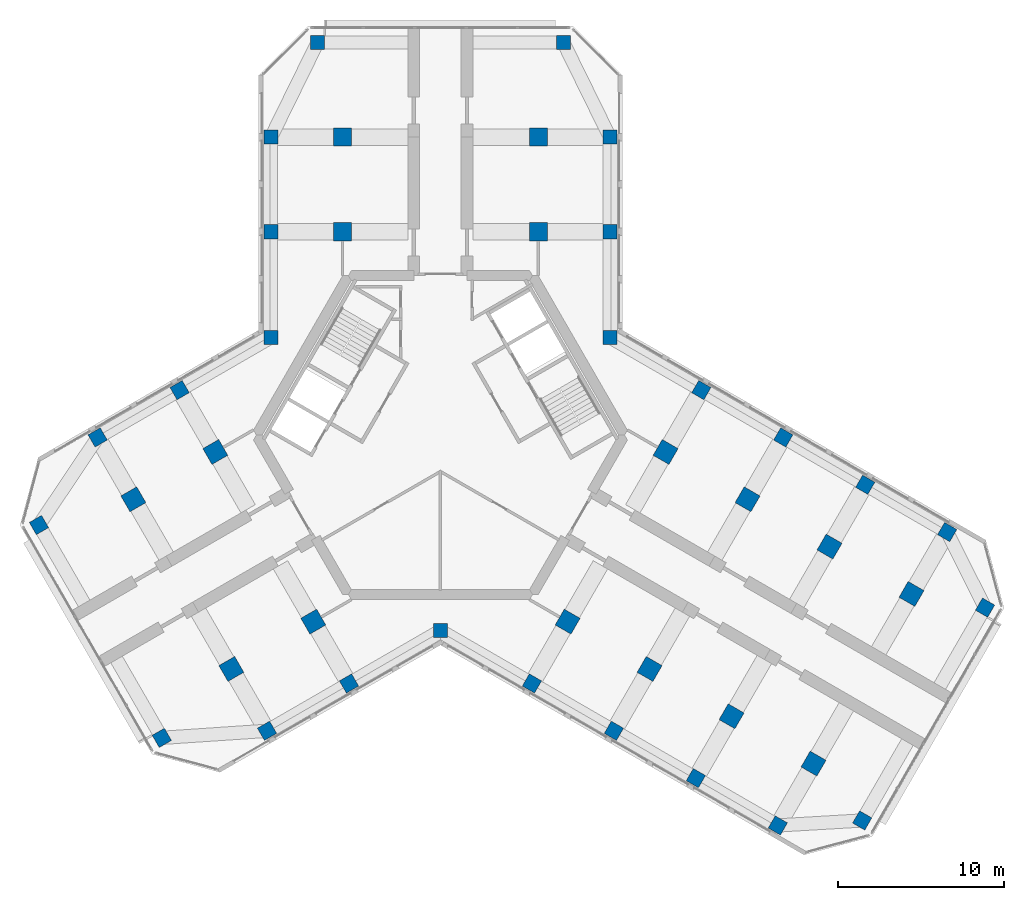
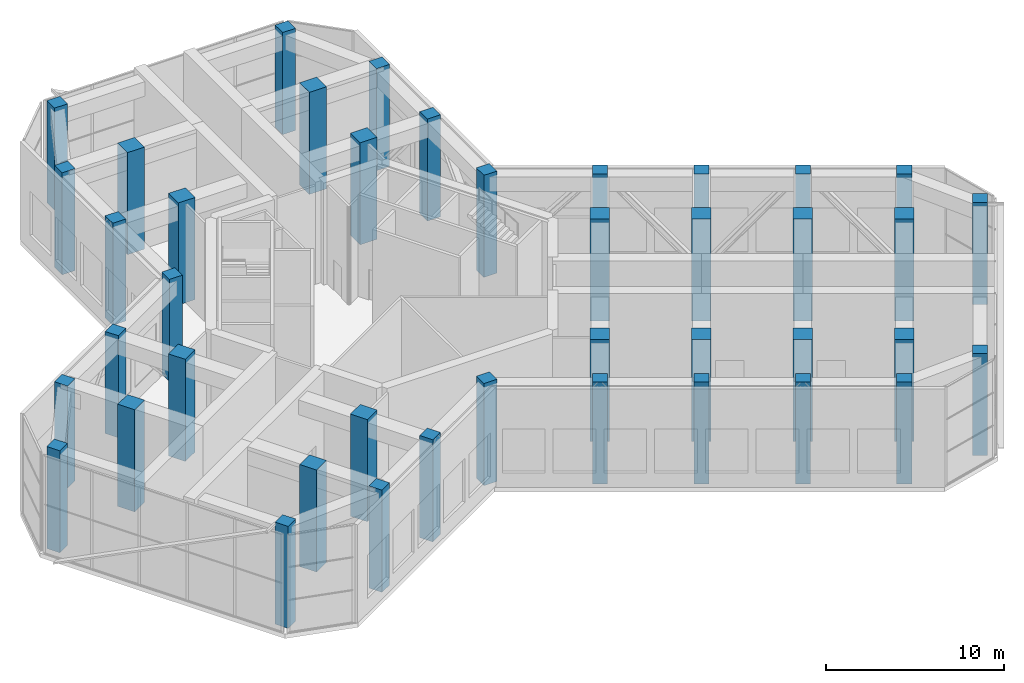
# One storey, part 1 of 12: 41 columns.
"""IFC4 building model written with IfcOpenShell, lengths in metres."""

import ifcopenshell
import ifcopenshell.guid

model = None  # the IFC model being written
_history = None  # IfcOwnerHistory: only IFC2X3 demands one
_inside = {}  # id of a spatial element -> (the spatial element, [elements in it])
_under = {}  # id of a project, library or spatial element -> (it, [spatial elements below it])
_declared = {}  # id of a project -> (the project, [libraries it declares])
_typed = {}  # id of a type object -> (the type object, [elements of that type])
_made_of = {}  # id of a material, layer set ... -> (it, [elements and type objects made of it])


def new_model(schema):
    """Start an empty IFC model of exactly this schema.

    Asked for "IFC4X3", IfcOpenShell would pick the latest addendum, in which some entities
    have other attributes; the version numbers below select the first issue.
    IFC2X3 requires an IfcOwnerHistory on every rooted entity: one is made here for all.
    """
    global model, _history
    if schema == "IFC4X3":
        model = ifcopenshell.file(schema_version=(4, 3, 0, 0))
    else:
        model = ifcopenshell.file(schema=schema)
    _inside.clear()
    _under.clear()
    _declared.clear()
    _typed.clear()
    _made_of.clear()
    _history = None
    if model.schema == "IFC2X3":
        org = make("IfcOrganization", Name="unknown")
        user = make(
            "IfcPersonAndOrganization",
            ThePerson=make("IfcPerson", FamilyName="unknown"),
            TheOrganization=org,
        )
        app = make(
            "IfcApplication",
            ApplicationDeveloper=org,
            Version="unknown",
            ApplicationFullName="unknown",
            ApplicationIdentifier="unknown",
        )
        _history = make(
            "IfcOwnerHistory",
            OwningUser=user,
            OwningApplication=app,
            ChangeAction="ADDED",
            CreationDate=0,
        )
    return model


def make(cls, **values):
    """One entity of the class cls with the attributes given. An attribute that is None is left unset."""
    return model.create_entity(
        cls, **{name: value for name, value in values.items() if value is not None}
    )


def rooted(cls, **values):
    """An entity with a GlobalId (a new one), such as an element, a storey or a relation."""
    return make(cls, GlobalId=ifcopenshell.guid.new(), OwnerHistory=_history, **values)


def si_unit(unit_type, name, prefix=None):
    """IfcSIUnit, for example si_unit("LENGTHUNIT", "METRE", prefix="MILLI")."""
    return make("IfcSIUnit", UnitType=unit_type, Prefix=prefix, Name=name)


def assignment(units):
    """IfcUnitAssignment: the units of a project."""
    return None if units is None else make("IfcUnitAssignment", Units=units)


def point(xyz):
    """IfcCartesianPoint."""
    return None if xyz is None else make("IfcCartesianPoint", Coordinates=xyz)


def direction(xyz):
    """IfcDirection."""
    return None if xyz is None else make("IfcDirection", DirectionRatios=xyz)


def frame(location, z_axis=None, x_axis=None):
    """IfcAxis2Placement3D, a coordinate frame: its origin and axes. An axis left out is left unset."""
    return make(
        "IfcAxis2Placement3D",
        Location=point(location),
        Axis=direction(z_axis),
        RefDirection=direction(x_axis),
    )


def frame_2d(location, x_axis=None):
    """IfcAxis2Placement2D, a coordinate frame in the plane: its origin and x axis."""
    return make(
        "IfcAxis2Placement2D", Location=point(location), RefDirection=direction(x_axis)
    )


def origin():
    """The frame at (0, 0, 0) with its axes left unset."""
    return frame((0.0, 0.0, 0.0))


def origin_2d():
    """The frame at (0, 0) in the plane with its x axis left unset."""
    return frame_2d((0.0, 0.0))


def place(relative_to, where):
    """IfcLocalPlacement: puts the frame where relative to a parent placement (None: the world)."""
    return make(
        "IfcLocalPlacement", PlacementRelTo=relative_to, RelativePlacement=where
    )


def context(
    kind, dimensions, precision=None, world=None, true_north=None, identifier=None
):
    """IfcGeometricRepresentationContext, for example the 3D "Model" context."""
    return make(
        "IfcGeometricRepresentationContext",
        ContextIdentifier=identifier,
        ContextType=kind,
        CoordinateSpaceDimension=dimensions,
        Precision=precision,
        WorldCoordinateSystem=world,
        TrueNorth=true_north,
    )


def subcontext(parent, identifier, kind, view, scale=None):
    """IfcGeometricRepresentationSubContext, for example "Body" below "Model"."""
    return make(
        "IfcGeometricRepresentationSubContext",
        ContextIdentifier=identifier,
        ContextType=kind,
        ParentContext=parent,
        TargetScale=scale,
        TargetView=view,
    )


def project(units=None, contexts=None):
    """IfcProject with its units and contexts."""
    return rooted(
        "IfcProject",
        Name="project",
        RepresentationContexts=contexts,
        UnitsInContext=assignment(units),
    )


def spatial(cls, under=None, at=None, **own):
    """A site, building, storey or space (cls), placed at a placement, below another one or the project."""
    s = rooted(cls, ObjectPlacement=at, **own)
    if under is not None:
        _under.setdefault(under.id(), (under, []))[1].append(s)
    return s


def profile(cls, at=None, kind="AREA", **sizes):
    """A parametric profile (cls). Its sizes go by their IFC names, for example OverallWidth=200.0."""
    return make(cls, ProfileType=kind, Position=at, **sizes)


def rectangle(**sizes):
    """IfcRectangleProfileDef."""
    return profile("IfcRectangleProfileDef", **sizes)


def extrude(swept, where, along, depth):
    """IfcExtrudedAreaSolid: the profile swept, set in the frame where, extruded along a direction by depth."""
    return make(
        "IfcExtrudedAreaSolid",
        SweptArea=swept,
        Position=where,
        ExtrudedDirection=direction(along),
        Depth=depth,
    )


def shape(context_of_items, identifier, shape_type, items):
    """IfcShapeRepresentation: the items that make up one representation, for example the "Body"."""
    return make(
        "IfcShapeRepresentation",
        ContextOfItems=context_of_items,
        RepresentationIdentifier=identifier,
        RepresentationType=shape_type,
        Items=items,
    )


def material(Name=None, Category=None):
    """IfcMaterial."""
    return make("IfcMaterial", Name=Name, Category=Category)


def material_profile(
    of_material, cross_section, Name=None, Category=None, Priority=None
):
    """IfcMaterialProfile: a cross section and its material."""
    return make(
        "IfcMaterialProfile",
        Name=Name,
        Material=of_material,
        Profile=cross_section,
        Priority=Priority,
        Category=Category,
    )


def profile_set(profiles, Name=None, composite=None):
    """IfcMaterialProfileSet."""
    return make(
        "IfcMaterialProfileSet",
        Name=Name,
        MaterialProfiles=profiles,
        CompositeProfile=composite,
    )


def made_of(thing, what):
    """Note that an element or type object is made of a material, layer set ...; save() writes the relation."""
    if what is not None:
        _made_of.setdefault(what.id(), (what, []))[1].append(thing)
    return thing


def type_object(cls, material=None, **own):
    """A type object (cls), such as IfcWallType, which elements share."""
    return made_of(rooted(cls, **own), material)


def element(
    cls,
    number,
    at=None,
    inside=None,
    cuts=None,
    type_object=None,
    material=None,
    context=None,
    identifier="Body",
    shape_type=None,
    held_by="IfcProductDefinitionShape",
    body=None,
    shapes=None,
    **own,
):
    """One element of the class cls, such as IfcWall. Its Tag is "e" and its number.

    at: its placement. inside: the storey or other place that contains it. cuts: it is an
    opening in that element (IfcRelVoidsElement). A single representation is given by context,
    identifier, shape_type and body (its items); several are given by shapes. held_by: the class
    of the entity that holds the representations. save() writes the other relations.
    """
    e = rooted(cls, Tag="e%d" % number, ObjectPlacement=at, **own)
    if body is not None:
        shapes = [shape(context, identifier, shape_type, body)]
    if shapes is not None:
        e.Representation = make(held_by, Representations=shapes)
    if inside is not None:
        _inside.setdefault(inside.id(), (inside, []))[1].append(e)
    if cuts is not None:
        rooted(
            "IfcRelVoidsElement", RelatingBuildingElement=cuts, RelatedOpeningElement=e
        )
    if type_object is not None:
        _typed.setdefault(type_object.id(), (type_object, []))[1].append(e)
    return made_of(e, material)


def aggregate(whole, parts):
    """IfcRelAggregates: a whole, such as a stair, and the parts it consists of."""
    return rooted("IfcRelAggregates", RelatingObject=whole, RelatedObjects=parts)


def save(model, path):
    """Write the relations noted so far, then the file.

    IfcRelAggregates (storeys below a building ...), IfcRelContainedInSpatialStructure (elements
    in a storey), IfcRelDefinesByType, IfcRelAssociatesMaterial and IfcRelDeclares: one each for
    every whole, place, type object, material and project.
    """
    for whole, parts in _under.values():
        aggregate(whole, parts)
    for where, things in _inside.values():
        rooted(
            "IfcRelContainedInSpatialStructure",
            RelatedElements=things,
            RelatingStructure=where,
        )
    for kind, things in _typed.values():
        rooted("IfcRelDefinesByType", RelatedObjects=things, RelatingType=kind)
    for what, things in _made_of.values():
        rooted("IfcRelAssociatesMaterial", RelatedObjects=things, RelatingMaterial=what)
    for by, libraries in _declared.values():
        rooted("IfcRelDeclares", RelatingContext=by, RelatedDefinitions=libraries)
    model.write(path)


model = new_model("IFC4")

# Units and contexts
model_context = context("Model", 3, precision=1e-05, world=origin(), true_north=direction((0.0, 1.0)))
body_context = subcontext(model_context, "Body", "Model", "MODEL_VIEW")
ifc_project = project(units=[si_unit("LENGTHUNIT", "METRE"), si_unit("AREAUNIT", "SQUARE_METRE"), si_unit("VOLUMEUNIT", "CUBIC_METRE"), si_unit("PLANEANGLEUNIT", "RADIAN"), si_unit("MASSUNIT", "GRAM", prefix="KILO")], contexts=[model_context])

# Site, building, storey
site_placement = place(None, origin())
site = spatial("IfcSite", under=ifc_project, at=site_placement, CompositionType="ELEMENT")
building_placement = place(site_placement, origin())
building = spatial("IfcBuilding", under=site, at=building_placement, Name="Kosmar Iwan School Tower", CompositionType="ELEMENT")
storey_placement = place(building_placement, frame((0.0, 0.0, 260.39990234375)))
storey = spatial("IfcBuildingStorey", under=building, at=storey_placement, Name="L66", CompositionType="ELEMENT", Elevation=260.39990234375)

# Columns
ifc_material_1 = material(Name="Concrete C50/60", Category="concrete")
ifc_material_profile_1 = material_profile(ifc_material_1, rectangle(XDim=0.85009765625, YDim=0.85009765625, at=origin_2d()), Name="RC 850x850 + HD 400x347")
ifc_profile_set_1 = profile_set([ifc_material_profile_1], Name="Concrete C50/60")
column_type_1 = type_object("IfcColumnType", Name="Composite column 850x850 HD 400x347", PredefinedType="COLUMN", material=ifc_profile_set_1)
for number, where, z_axis, x_axis, name in (
    (1, (-10.199951171875, 12.25, 0.0), (0.0, 0.0, 1.0), (0.0, 1.0, 0.0), "Column AL1 L66"),
    (2, (-10.199951171875, 17.949951171875, 0.0), (0.0, 0.0, 1.0), (0.0, 1.0, 0.0), "Column AL2 L66"),
    (3, (-7.39990234375, 23.64990234375, 0.0), (0.0, 0.0, 1.0), (0.0, 1.0, 0.0), "Column ALTIP L66"),
    (4, (10.199951171875, 12.25, 0.0), (0.0, 0.0, 1.0), (0.0, 1.0, 0.0), "Column AR1 L66"),
    (5, (10.199951171875, 17.949951171875, 0.0), (0.0, 0.0, 1.0), (0.0, 1.0, 0.0), "Column AR2 L66"),
    (6, (7.39990234375, 23.64990234375, 0.0), (0.0, 0.0, 1.0), (0.0, 1.0, 0.0), "Column ARTIP L66"),
    (7, (-5.5087890625, -14.95849609375, 0.0), (0.0, 0.0, 1.0), (-0.866025403784, -0.5, 0.0), "Column BL1 L66"),
    (8, (-10.445068359375, -17.808349609375, 0.0), (0.0, 0.0, 1.0), (-0.866025403784, -0.5, 0.0), "Column BL2 L66"),
    (9, (-16.781494140625, -18.233642578125, 0.0), (0.0, 0.0, 1.0), (-0.866025403784, -0.5, 0.0), "Column BLTIP L66"),
    (10, (-15.708740234375, 2.70849609375, 0.0), (0.0, 0.0, 1.0), (-0.866025403784, -0.5, 0.0), "Column BR1 L66"),
    (11, (-20.645263671875, -0.1416015625, 0.0), (0.0, 0.0, 1.0), (-0.866025403784, -0.5, 0.0), "Column BR2 L66"),
    (12, (-24.181396484375, -5.41650390625, 0.0), (0.0, 0.0, 1.0), (-0.866025403784, -0.5, 0.0), "Column BRTIP L66"),
    (13, (15.708740234375, 2.70849609375, 0.0), (0.0, 0.0, 1.0), (0.866025403784, -0.5, 0.0), "Column CL1 L66"),
    (14, (20.645263671875, -0.1416015625, 0.0), (0.0, 0.0, 1.0), (0.866025403784, -0.5, 0.0), "Column CL2 L66"),
    (15, (25.58154296875, -2.991455078125, 0.0), (0.0, 0.0, 1.0), (0.866025403784, -0.5, 0.0), "Column CL3 L66"),
    (16, (30.517822265625, -5.841552734375, 0.0), (0.0, 0.0, 1.0), (0.866025403784, -0.5, 0.0), "Column CL4 L66"),
    (17, (32.79833984375, -10.391357421875, 0.0), (0.0, 0.0, 1.0), (0.866025403784, -0.5, 0.0), "Column CLTIP L66"),
    (18, (5.5087890625, -14.95849609375, 0.0), (0.0, 0.0, 1.0), (0.866025403784, -0.5, 0.0), "Column CR1 L66"),
    (19, (10.445068359375, -17.808349609375, 0.0), (0.0, 0.0, 1.0), (0.866025403784, -0.5, 0.0), "Column CR2 L66"),
    (20, (15.381591796875, -20.658447265625, 0.0), (0.0, 0.0, 1.0), (0.866025403784, -0.5, 0.0), "Column CR3 L66"),
    (21, (20.31787109375, -23.508544921875, 0.0), (0.0, 0.0, 1.0), (0.866025403784, -0.5, 0.0), "Column CR4 L66"),
    (22, (25.3984375, -23.20849609375, 0.0), (0.0, 0.0, 1.0), (0.866025403784, -0.5, 0.0), "Column CRTIP L66"),
    (23, (-10.199951171875, 5.888916015625, 0.0), (0.0, 0.0, 1.0), (1.0, 0.0, 0.0), "Column RAB L66"),
    (24, (10.199951171875, 5.888916015625, 0.0), (0.0, 0.0, 1.0), (1.0, 0.0, 0.0), "Column RAC L66"),
    (25, (0.0, -11.77783203125, 0.0), (0.0, 0.0, 1.0), (1.0, 0.0, 0.0), "Column RBC L66"),
):
    element("IfcColumn", number, at=place(storey_placement, frame(where, z_axis=z_axis, x_axis=x_axis)), inside=storey, type_object=column_type_1, Name=name, PredefinedType="COLUMN", context=body_context, shape_type="SweptSolid", body=[
        extrude(rectangle(XDim=0.85009765625, YDim=0.85009765625, at=origin_2d()), origin(), (0.0, 0.0, 1.0), 7.0),
    ])
ifc_material_2 = material(Name="Concrete C50/60", Category="concrete")
ifc_material_profile_2 = material_profile(ifc_material_2, rectangle(XDim=1.10009765625, YDim=1.10009765625, at=origin_2d()), Name="RC 1100x1100")
ifc_profile_set_2 = profile_set([ifc_material_profile_2], Name="Concrete C50/60")
column_type_2 = type_object("IfcColumnType", Name="RC interior column 1100x1100", PredefinedType="COLUMN", material=ifc_profile_set_2)
for number, where, z_axis, x_axis, name in (
    (26, (-5.89990234375, 12.25, 0.0), (0.0, 0.0, 1.0), (0.0, 1.0, 0.0), "Interior column ALI1 L66"),
    (27, (-5.89990234375, 17.949951171875, 0.0), (0.0, 0.0, 1.0), (0.0, 1.0, 0.0), "Interior column ALI2 L66"),
    (28, (5.89990234375, 12.25, 0.0), (0.0, 0.0, 1.0), (0.0, 1.0, 0.0), "Interior column ARI1 L66"),
    (29, (5.89990234375, 17.949951171875, 0.0), (0.0, 0.0, 1.0), (0.0, 1.0, 0.0), "Interior column ARI2 L66"),
    (30, (-7.65869140625, -11.234619140625, 0.0), (0.0, 0.0, 1.0), (-0.866025403784, -0.5, 0.0), "Interior column BLI1 L66"),
    (31, (-12.59521484375, -14.08447265625, 0.0), (0.0, 0.0, 1.0), (-0.866025403784, -0.5, 0.0), "Interior column BLI2 L66"),
    (32, (-13.558837890625, -1.015380859375, 0.0), (0.0, 0.0, 1.0), (-0.866025403784, -0.5, 0.0), "Interior column BRI1 L66"),
    (33, (-18.4951171875, -3.865478515625, 0.0), (0.0, 0.0, 1.0), (-0.866025403784, -0.5, 0.0), "Interior column BRI2 L66"),
    (34, (13.558837890625, -1.015380859375, 0.0), (0.0, 0.0, 1.0), (0.866025403784, -0.5, 0.0), "Interior column CLI1 L66"),
    (35, (18.4951171875, -3.865478515625, 0.0), (0.0, 0.0, 1.0), (0.866025403784, -0.5, 0.0), "Interior column CLI2 L66"),
    (36, (23.431396484375, -6.71533203125, 0.0), (0.0, 0.0, 1.0), (0.866025403784, -0.5, 0.0), "Interior column CLI3 L66"),
    (37, (28.367919921875, -9.5654296875, 0.0), (0.0, 0.0, 1.0), (0.866025403784, -0.5, 0.0), "Interior column CLI4 L66"),
    (38, (7.65869140625, -11.234619140625, 0.0), (0.0, 0.0, 1.0), (0.866025403784, -0.5, 0.0), "Interior column CRI1 L66"),
    (39, (12.59521484375, -14.08447265625, 0.0), (0.0, 0.0, 1.0), (0.866025403784, -0.5, 0.0), "Interior column CRI2 L66"),
    (40, (17.531494140625, -16.9345703125, 0.0), (0.0, 0.0, 1.0), (0.866025403784, -0.5, 0.0), "Interior column CRI3 L66"),
    (41, (22.4677734375, -19.78466796875, 0.0), (0.0, 0.0, 1.0), (0.866025403784, -0.5, 0.0), "Interior column CRI4 L66"),
):
    element("IfcColumn", number, at=place(storey_placement, frame(where, z_axis=z_axis, x_axis=x_axis)), inside=storey, type_object=column_type_2, Name=name, PredefinedType="COLUMN", context=body_context, shape_type="SweptSolid", body=[
        extrude(rectangle(XDim=1.10009765625, YDim=1.10009765625, at=origin_2d()), origin(), (0.0, 0.0, 1.0), 7.0),
    ])

save(model, "model.ifc")
